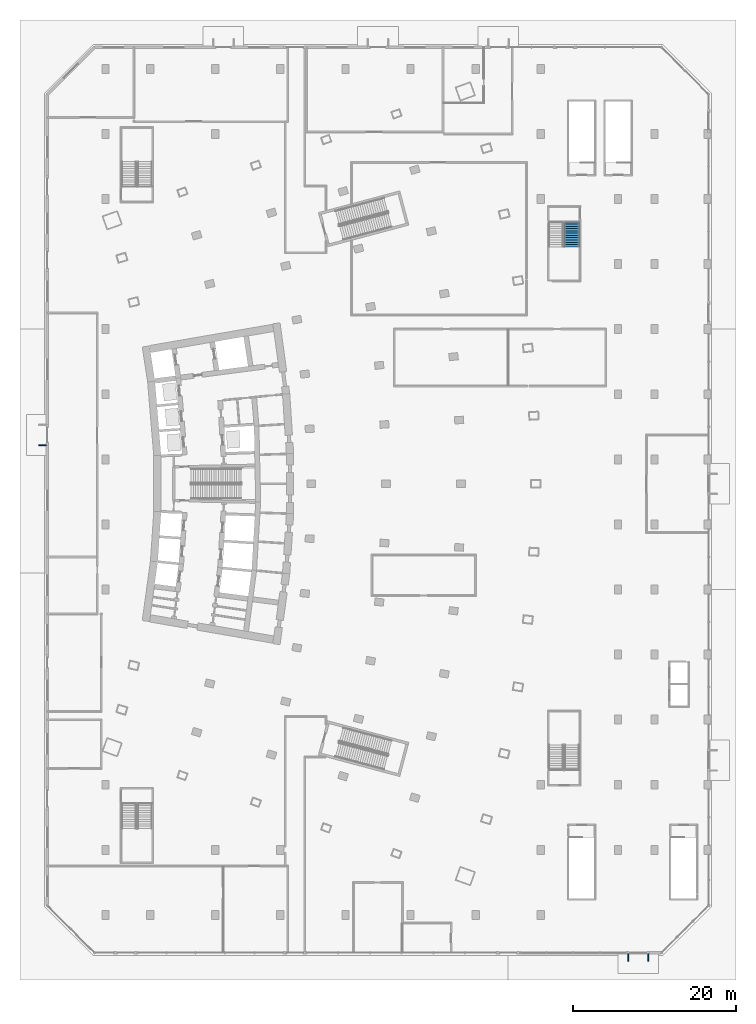
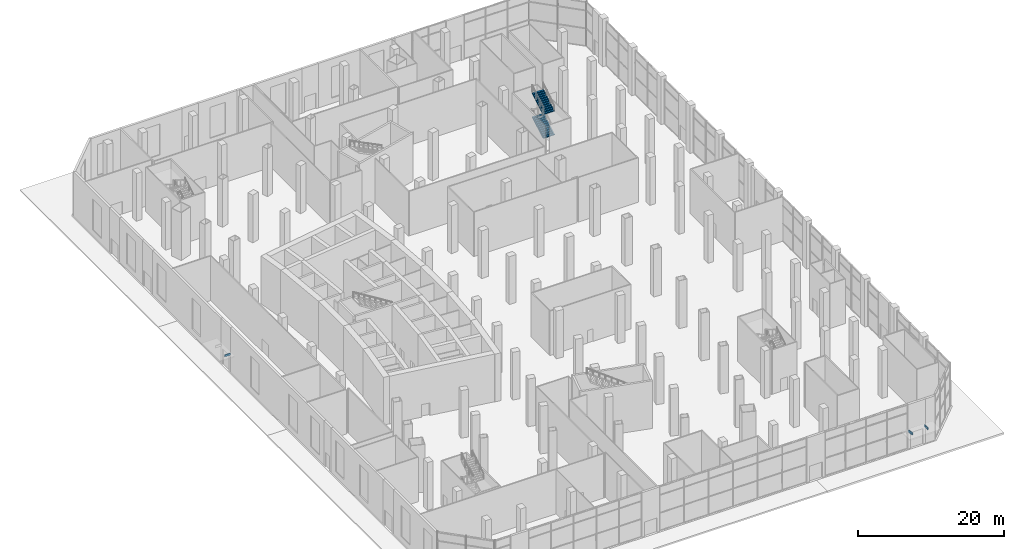
# One storey, part 22 of 33: 3 discrete accessories, 2 stair flights, 1 element without a shape of its own.
"""IFC4 building model written with IfcOpenShell, lengths in metres."""

from ifc_helpers import new_model, si_unit, direction, frame, origin, origin_2d, place, context, subcontext, project, spatial, polyline, rectangle, outline, extrude, material, layer, layer_set, type_object, element, aggregate, save


model = new_model("IFC4")

# Units and contexts
model_context = context("Model", 3, precision=1e-05, world=origin(), true_north=direction((0.0, 1.0)))
body_context = subcontext(model_context, "Body", "Model", "MODEL_VIEW")
ifc_project = project(units=[si_unit("LENGTHUNIT", "METRE"), si_unit("AREAUNIT", "SQUARE_METRE"), si_unit("VOLUMEUNIT", "CUBIC_METRE"), si_unit("PLANEANGLEUNIT", "RADIAN"), si_unit("MASSUNIT", "GRAM", prefix="KILO")], contexts=[model_context])

# Site, building, storey
site_placement = place(None, origin())
site = spatial("IfcSite", under=ifc_project, at=site_placement, CompositionType="ELEMENT")
building_placement = place(site_placement, origin())
building = spatial("IfcBuilding", under=site, at=building_placement, Name="Alderwake Tower", CompositionType="ELEMENT")
storey_placement = place(building_placement, origin())
storey = spatial("IfcBuildingStorey", under=building, at=storey_placement, Name="L00", CompositionType="ELEMENT", Elevation=0.0)

# Stair, stair flights
ifc_material_1 = material(Name="Concrete C40/50", Category="concrete")
stair_type = type_object("IfcStairType", Name="Exit stair 1800 half-turn", PredefinedType="HALF_TURN_STAIR", material=ifc_material_1)
stair_placement = place(storey_placement, origin())
stair = element("IfcStair", 1, at=stair_placement, inside=storey, type_object=stair_type, Name="L00 Podium stair P3", PredefinedType="HALF_TURN_STAIR")
ifc_material_2 = material(Name="Concrete C40/50", Category="concrete")
ifc_layer = layer(ifc_material_2, 0.14990234375)
ifc_layer_set = layer_set([ifc_layer], Name="Core stair flight")
stair_flight_type = type_object("IfcStairFlightType", Name="Core stair flight", PredefinedType="STRAIGHT", material=ifc_layer_set)
stair_flight_1_placement = place(storey_placement, frame((67.85009765625, 90.1201171875, 2.0), z_axis=(0.0, 0.0, 1.0), x_axis=(0.0, 1.0, 0.0)))
stair_flight_1 = element("IfcStairFlight", 2, at=stair_flight_1_placement, type_object=stair_flight_type, Name="ST-P3 flight 2", NumberOfRisers=12, NumberOfTreads=11, PredefinedType="STRAIGHT", RiserHeight=0.166666667, TreadLength=0.28, context=body_context, shape_type="SweptSolid", body=[
    extrude(outline(polyline([(0.0, 0.0), (0.0, 0.166748046875), (0.280029296875, 0.166748046875), (0.280029296875, 0.333251953125), (0.56005859375, 0.333251953125), (0.56005859375, 0.5), (0.840087890625, 0.5), (0.840087890625, 0.666748046875), (1.1201171875, 0.666748046875), (1.1201171875, 0.833251953125), (1.39990234375, 0.833251953125), (1.39990234375, 1.0), (1.679931640625, 1.0), (1.679931640625, 1.166748046875), (1.9599609375, 1.166748046875), (1.9599609375, 1.333251953125), (2.239990234375, 1.333251953125), (2.239990234375, 1.5), (2.52001953125, 1.5), (2.52001953125, 1.666748046875), (2.800048828125, 1.666748046875), (2.800048828125, 1.833251953125), (3.080078125, 1.833251953125), (3.080078125, 2.0), (3.080078125, 1.658935546875), (0.29296875, 0.0), (0.0, 0.0)])), frame((0.0, 0.89990234375, 0.0), z_axis=(0.0, -1.0, 0.0), x_axis=(1.0, 0.0, 0.0)), (0.0, 0.0, 1.0), 1.800048828125),
])
stair_flight_2_placement = place(storey_placement, frame((67.85009765625, 90.1201171875, 6.0), z_axis=(0.0, 0.0, 1.0), x_axis=(0.0, 1.0, 0.0)))
stair_flight_2 = element("IfcStairFlight", 3, at=stair_flight_2_placement, type_object=stair_flight_type, Name="ST-P3 flight 4", NumberOfRisers=12, NumberOfTreads=11, PredefinedType="STRAIGHT", RiserHeight=0.166666667, TreadLength=0.28, context=body_context, shape_type="SweptSolid", body=[
    extrude(outline(polyline([(0.0, 0.0), (0.0, 0.166748046875), (0.280029296875, 0.166748046875), (0.280029296875, 0.333251953125), (0.56005859375, 0.333251953125), (0.56005859375, 0.5), (0.840087890625, 0.5), (0.840087890625, 0.666748046875), (1.1201171875, 0.666748046875), (1.1201171875, 0.833251953125), (1.39990234375, 0.833251953125), (1.39990234375, 1.0), (1.679931640625, 1.0), (1.679931640625, 1.166748046875), (1.9599609375, 1.166748046875), (1.9599609375, 1.333251953125), (2.239990234375, 1.333251953125), (2.239990234375, 1.5), (2.52001953125, 1.5), (2.52001953125, 1.666748046875), (2.800048828125, 1.666748046875), (2.800048828125, 1.833251953125), (3.080078125, 1.833251953125), (3.080078125, 2.0), (3.080078125, 1.658935546875), (0.29296875, 0.0), (0.0, 0.0)])), frame((0.0, 0.89990234375, 0.0), z_axis=(0.0, -1.0, 0.0), x_axis=(1.0, 0.0, 0.0)), (0.0, 0.0, 1.0), 1.800048828125),
])
aggregate(stair, [stair_flight_1, stair_flight_2])

# Discrete accessories
ifc_material_3 = material(Name="Steel ASTM A36 painted", Category="steel")
discrete_accessory_type = type_object("IfcDiscreteAccessoryType", Name="Canopy bracket", PredefinedType="BRACKET", material=ifc_material_3)
for number, where, z_axis, x_axis, name in (
    (4, (74.75, 2.75, 2.8701171875), (0.0, 0.0, 1.0), (0.0, 1.0, 0.0), "Canopy bracket 01.1"),
    (5, (77.25, 2.75, 2.8701171875), (0.0, 0.0, 1.0), (0.0, 1.0, 0.0), "Canopy bracket 01.2"),
    (6, (2.75, 65.75, 2.8701171875), (0.0, 0.0, 1.0), (1.0, 0.0, 0.0), "Canopy bracket 07.2"),
):
    element("IfcDiscreteAccessory", number, at=place(storey_placement, frame(where, z_axis=z_axis, x_axis=x_axis)), inside=storey, type_object=discrete_accessory_type, Name=name, PredefinedType="BRACKET", context=body_context, shape_type="SweptSolid", body=[
        extrude(rectangle(XDim=0.89990234375, YDim=0.1201171875, at=origin_2d()), origin(), (0.0, 0.0, 1.0), 0.300048828125),
    ])

save(model, "model.ifc")
